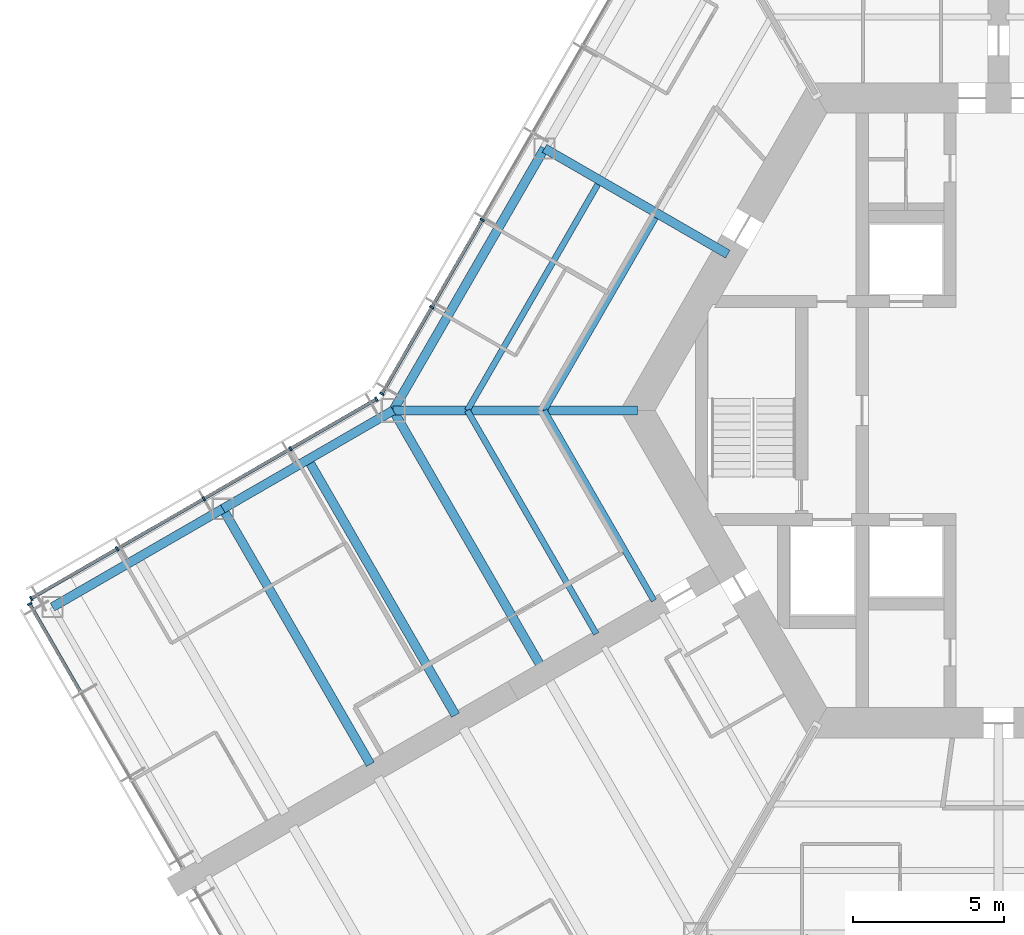
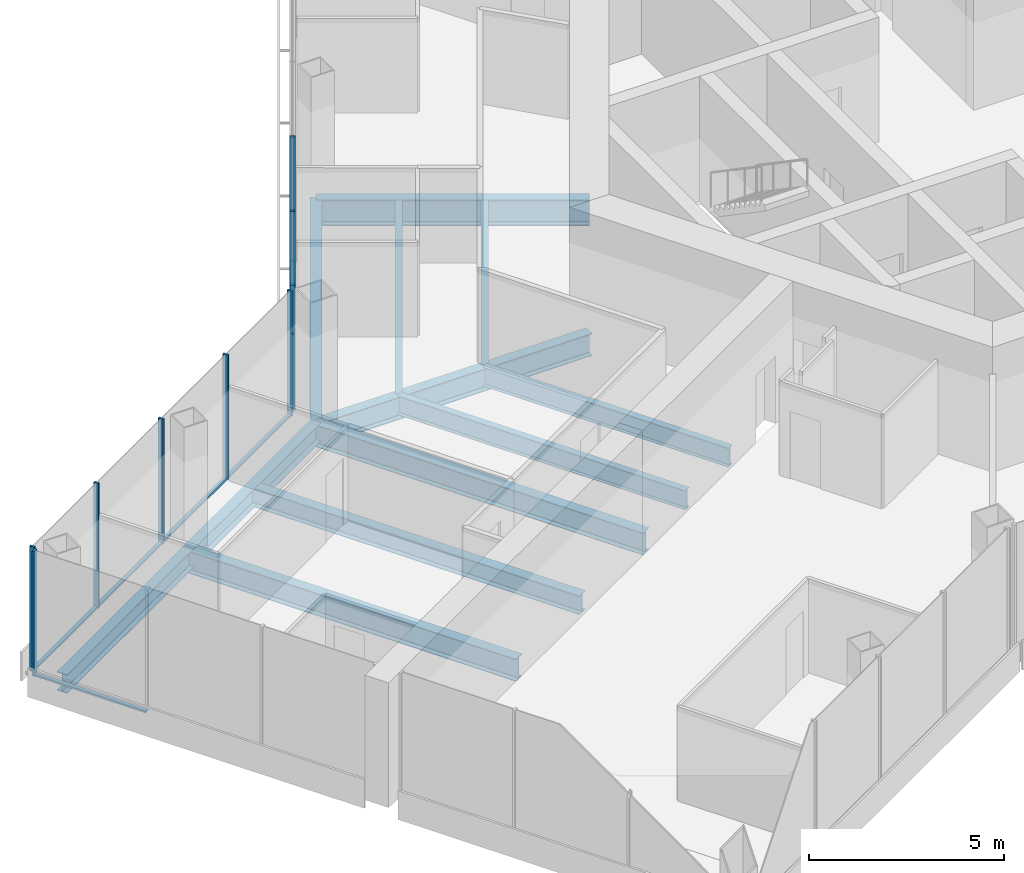
# One storey, part 4 of 18: 16 members, 12 beams, 3 elements without a shape of their own.
"""IFC4 building model written with IfcOpenShell, lengths in metres."""

from ifc_helpers import new_model, si_unit, direction, frame, origin, origin_2d, place, context, subcontext, project, spatial, rectangle, i_section, extrude, material, material_profile, profile_set, type_object, element, aggregate, save


model = new_model("IFC4")

# Units and contexts
model_context = context("Model", 3, precision=1e-05, world=origin(), true_north=direction((0.0, 1.0)))
body_context = subcontext(model_context, "Body", "Model", "MODEL_VIEW")
ifc_project = project(units=[si_unit("LENGTHUNIT", "METRE"), si_unit("AREAUNIT", "SQUARE_METRE"), si_unit("VOLUMEUNIT", "CUBIC_METRE"), si_unit("PLANEANGLEUNIT", "RADIAN"), si_unit("MASSUNIT", "GRAM", prefix="KILO")], contexts=[model_context])

# Site, building, storey
site_placement = place(None, origin())
site = spatial("IfcSite", under=ifc_project, at=site_placement, CompositionType="ELEMENT")
building_placement = place(site_placement, origin())
building = spatial("IfcBuilding", under=site, at=building_placement, Name="Kasaneha Research Tower", CompositionType="ELEMENT")
storey_placement = place(building_placement, frame((0.0, 0.0, 140.89990234375)))
storey = spatial("IfcBuildingStorey", under=building, at=storey_placement, Name="L35", CompositionType="ELEMENT", Elevation=140.89990234375)

# Beams
ifc_material_1 = material(Name="Steel SN490B", Category="steel")
ifc_material_profile_1 = material_profile(ifc_material_1, i_section(OverallWidth=0.199951171875, OverallDepth=0.60009765625, WebThickness=0.010986328125, FlangeThickness=0.01708984375, FilletRadius=0.012939453125, at=origin_2d()), Name="H-600x200x11x17")
ifc_profile_set_1 = profile_set([ifc_material_profile_1], Name="Steel SN490B")
beam_type_1 = type_object("IfcBeamType", Name="B1-3 secondary beam H-600x200x11x17", PredefinedType="JOIST", material=ifc_profile_set_1)
beam_1_placement = place(storey_placement, frame((-15.010986328125, 0.0, -0.449951171875), z_axis=(0.499994443168, 0.866028611999, 0.0), x_axis=(-0.866028611999, 0.499994443168, 0.0)))
element("IfcBeam", 1, at=beam_1_placement, inside=storey, type_object=beam_type_1, Name="Secondary beam RS150R1 L35", PredefinedType="JOIST", context=body_context, shape_type="SweptSolid", body=[
    extrude(i_section(OverallWidth=0.199951171875, OverallDepth=0.60009765625, WebThickness=0.010986328125, FlangeThickness=0.01708984375, FilletRadius=0.012939453125, at=origin_2d()), origin(), (0.0, 0.0, 1.0), 7.35546875),
])
beam_2_placement = place(storey_placement, frame((-17.551513671875, 0.0, -0.449951171875), z_axis=(0.5000050195, 0.866022505755, 0.0), x_axis=(-0.866022505755, 0.5000050195, 0.0)))
element("IfcBeam", 2, at=beam_2_placement, inside=storey, type_object=beam_type_1, Name="Secondary beam RS150R2 L35", PredefinedType="JOIST", context=body_context, shape_type="SweptSolid", body=[
    extrude(i_section(OverallWidth=0.199951171875, OverallDepth=0.60009765625, WebThickness=0.010986328125, FlangeThickness=0.01708984375, FilletRadius=0.012939453125, at=origin_2d()), origin(), (0.0, 0.0, 1.0), 8.6259765625),
])
beam_3_placement = place(storey_placement, frame((-15.010986328125, 0.0, -0.449951171875), z_axis=(0.499993340521, -0.866029248602, 0.0), x_axis=(0.866029248602, 0.499993340521, 0.0)))
element("IfcBeam", 3, at=beam_3_placement, inside=storey, type_object=beam_type_1, Name="Secondary beam RS210L1 L35", PredefinedType="JOIST", context=body_context, shape_type="SweptSolid", body=[
    extrude(i_section(OverallWidth=0.199951171875, OverallDepth=0.60009765625, WebThickness=0.010986328125, FlangeThickness=0.01708984375, FilletRadius=0.012939453125, at=origin_2d()), origin(), (0.0, 0.0, 1.0), 7.25537109375),
])
beam_4_placement = place(storey_placement, frame((-17.551513671875, 0.0, -0.449951171875), z_axis=(0.500004205306, -0.866022975836, 0.0), x_axis=(0.866022975836, 0.500004205306, 0.0)))
element("IfcBeam", 4, at=beam_4_placement, inside=storey, type_object=beam_type_1, Name="Secondary beam RS210L2 L35", PredefinedType="JOIST", context=body_context, shape_type="SweptSolid", body=[
    extrude(i_section(OverallWidth=0.199951171875, OverallDepth=0.60009765625, WebThickness=0.010986328125, FlangeThickness=0.01708984375, FilletRadius=0.012939453125, at=origin_2d()), origin(), (0.0, 0.0, 1.0), 8.52587890625),
])
ifc_material_2 = material(Name="Steel SN490B", Category="steel")
ifc_material_profile_2 = material_profile(ifc_material_2, i_section(OverallWidth=0.300048828125, OverallDepth=0.58203125, WebThickness=0.011962890625, FlangeThickness=0.01708984375, FilletRadius=0.012939453125, at=origin_2d()), Name="H-582x300x12x17")
ifc_profile_set_2 = profile_set([ifc_material_profile_2], Name="Steel SN490B")
beam_type_2 = type_object("IfcBeamType", Name="B2-3 secondary beam H-582x300x12x17", PredefinedType="JOIST", material=ifc_profile_set_2)
beam_5_placement = place(storey_placement, frame((-22.814697265625, -1.625, -0.44091796875), z_axis=(0.499995560238, -0.866027967067, 0.0), x_axis=(0.866027967067, 0.499995560238, 0.0)))
element("IfcBeam", 5, at=beam_5_placement, inside=storey, type_object=beam_type_2, Name="Secondary beam WBBP1 L35", PredefinedType="JOIST", context=body_context, shape_type="SweptSolid", body=[
    extrude(i_section(OverallWidth=0.300048828125, OverallDepth=0.58203125, WebThickness=0.011962890625, FlangeThickness=0.01708984375, FilletRadius=0.012939453125, at=origin_2d()), origin(), (0.0, 0.0, 1.0), 9.75),
])

# Curtain wall, members
ifc_material_3 = material(Name="Glass and aluminium", Category="aluminium")
curtain_wall_type = type_object("IfcCurtainWallType", Name="Mid-rise office curtain wall", PredefinedType="USERDEFINED", material=ifc_material_3)
curtain_wall_1_placement = place(storey_placement, origin())
curtain_wall_1 = element("IfcCurtainWall", 6, at=curtain_wall_1_placement, inside=storey, type_object=curtain_wall_type, Name="CW-O2 L35 run 08a", ObjectType="UNITISED CURTAIN WALL", PredefinedType="USERDEFINED")
ifc_material_4 = material(Name="Aluminium 6063-T6", Category="aluminium")
ifc_material_profile_3 = material_profile(ifc_material_4, rectangle(XDim=0.06005859375, YDim=0.14990234375, at=origin_2d()), Name="CW-O2 mullion 60x150")
ifc_profile_set_3 = profile_set([ifc_material_profile_3], Name="Aluminium 6063-T6")
member_type_1 = type_object("IfcMemberType", Name="CW-O2 mullion", PredefinedType="MULLION", material=ifc_profile_set_3)
member_1_placement = place(storey_placement, frame((-17.058349609375, 6.295166015625, 0.0), z_axis=(0.0, 0.0, 1.0), x_axis=(-0.499999979232, -0.866025415775, 0.0)))
member_1 = element("IfcMember", 7, at=member_1_placement, type_object=member_type_1, Name="CW-O2 mullion 5", PredefinedType="MULLION", context=body_context, shape_type="SweptSolid", body=[
    extrude(rectangle(XDim=0.06005859375, YDim=0.14990234375, at=origin_2d()), origin(), (0.0, 0.0, 1.0), 3.900146484375),
])
member_2_placement = place(storey_placement, frame((-18.723876953125, 3.410400390625, 0.0), z_axis=(0.0, 0.0, 1.0), x_axis=(-0.499999979232, -0.866025415775, 0.0)))
member_2 = element("IfcMember", 8, at=member_2_placement, type_object=member_type_1, Name="CW-O2 mullion 6", PredefinedType="MULLION", context=body_context, shape_type="SweptSolid", body=[
    extrude(rectangle(XDim=0.06005859375, YDim=0.14990234375, at=origin_2d()), origin(), (0.0, 0.0, 1.0), 3.900146484375),
])
member_3_placement = place(storey_placement, frame((-20.374267578125, 0.5517578125, 0.0), z_axis=(0.0, 0.0, 1.0), x_axis=(-0.499999979232, -0.866025415775, 0.0)))
member_3 = element("IfcMember", 9, at=member_3_placement, type_object=member_type_1, Name="CW-O2 mullion 7", PredefinedType="MULLION", context=body_context, shape_type="SweptSolid", body=[
    extrude(rectangle(XDim=0.06005859375, YDim=0.14990234375, at=origin_2d()), origin(), (0.0, 0.0, 1.0), 3.900146484375),
])

curtain_wall_2_placement = place(storey_placement, origin())
curtain_wall_2 = element("IfcCurtainWall", 10, at=curtain_wall_2_placement, inside=storey, type_object=curtain_wall_type, Name="CW-O2 L35 run 09a", ObjectType="UNITISED CURTAIN WALL", PredefinedType="USERDEFINED")
member_4_placement = place(storey_placement, frame((-20.5517578125, 0.374267578125, 0.0), z_axis=(0.0, 0.0, 1.0), x_axis=(-0.866025411464, -0.499999986699, 0.0)))
member_4 = element("IfcMember", 11, at=member_4_placement, type_object=member_type_1, Name="CW-O2 mullion 1", PredefinedType="MULLION", context=body_context, shape_type="SweptSolid", body=[
    extrude(rectangle(XDim=0.06005859375, YDim=0.14990234375, at=origin_2d()), origin(), (0.0, 0.0, 1.0), 3.900146484375),
])
member_5_placement = place(storey_placement, frame((-23.39208984375, -1.265625, 0.0), z_axis=(0.0, 0.0, 1.0), x_axis=(-0.866025411464, -0.499999986699, 0.0)))
member_5 = element("IfcMember", 12, at=member_5_placement, type_object=member_type_1, Name="CW-O2 mullion 2", PredefinedType="MULLION", context=body_context, shape_type="SweptSolid", body=[
    extrude(rectangle(XDim=0.06005859375, YDim=0.14990234375, at=origin_2d()), origin(), (0.0, 0.0, 1.0), 3.900146484375),
])
member_6_placement = place(storey_placement, frame((-26.258544921875, -2.920654296875, 0.0), z_axis=(0.0, 0.0, 1.0), x_axis=(-0.866025411464, -0.499999986699, 0.0)))
member_6 = element("IfcMember", 13, at=member_6_placement, type_object=member_type_1, Name="CW-O2 mullion 3", PredefinedType="MULLION", context=body_context, shape_type="SweptSolid", body=[
    extrude(rectangle(XDim=0.06005859375, YDim=0.14990234375, at=origin_2d()), origin(), (0.0, 0.0, 1.0), 3.900146484375),
])
member_7_placement = place(storey_placement, frame((-29.125, -4.575439453125, 0.0), z_axis=(0.0, 0.0, 1.0), x_axis=(-0.866025411464, -0.499999986699, 0.0)))
member_7 = element("IfcMember", 14, at=member_7_placement, type_object=member_type_1, Name="CW-O2 mullion 4", PredefinedType="MULLION", context=body_context, shape_type="SweptSolid", body=[
    extrude(rectangle(XDim=0.06005859375, YDim=0.14990234375, at=origin_2d()), origin(), (0.0, 0.0, 1.0), 3.900146484375),
])
member_8_placement = place(storey_placement, frame((-31.96533203125, -6.21533203125, 0.0), z_axis=(0.0, 0.0, 1.0), x_axis=(-0.866025411464, -0.499999986699, 0.0)))
member_8 = element("IfcMember", 15, at=member_8_placement, type_object=member_type_1, Name="CW-O2 mullion 5", PredefinedType="MULLION", context=body_context, shape_type="SweptSolid", body=[
    extrude(rectangle(XDim=0.06005859375, YDim=0.14990234375, at=origin_2d()), origin(), (0.0, 0.0, 1.0), 3.900146484375),
])

# Curtain wall, member
curtain_wall_3_placement = place(storey_placement, origin())
curtain_wall_3 = element("IfcCurtainWall", 16, at=curtain_wall_3_placement, inside=storey, type_object=curtain_wall_type, Name="CW-O2 L35 run 10a", ObjectType="UNITISED CURTAIN WALL", PredefinedType="USERDEFINED")
member_9_placement = place(storey_placement, frame((-32.012939453125, -6.39306640625, 0.0), z_axis=(0.0, 0.0, 1.0), x_axis=(0.500000011442, -0.866025397178, 0.0)))
member_9 = element("IfcMember", 17, at=member_9_placement, type_object=member_type_1, Name="CW-O2 mullion 1", PredefinedType="MULLION", context=body_context, shape_type="SweptSolid", body=[
    extrude(rectangle(XDim=0.06005859375, YDim=0.14990234375, at=origin_2d()), origin(), (0.0, 0.0, 1.0), 3.900146484375),
])

# Member
ifc_material_5 = material(Name="Aluminium 6063-T6", Category="aluminium")
ifc_material_profile_4 = material_profile(ifc_material_5, rectangle(XDim=0.110107421875, YDim=0.06005859375, at=origin_2d()), Name="CW-O2 transom 110x60")
ifc_profile_set_4 = profile_set([ifc_material_profile_4], Name="Aluminium 6063-T6")
member_type_2 = type_object("IfcMemberType", Name="CW-O2 transom", PredefinedType="USERDEFINED", material=ifc_profile_set_4)
member_10_placement = place(storey_placement, frame((-17.0732421875, 6.269287109375, 0.030029296875), z_axis=(-0.500000270186, -0.866025247793, 0.0), x_axis=(0.866025247793, -0.500000270186, 0.0)))
member_10 = element("IfcMember", 18, at=member_10_placement, type_object=member_type_2, Name="CW-O2 transom 5", ObjectType="TRANSOM", PredefinedType="USERDEFINED", context=body_context, shape_type="SweptSolid", body=[
    extrude(rectangle(XDim=0.110107421875, YDim=0.06005859375, at=origin_2d()), origin(), (0.0, 0.0, 1.0), 3.27099609375),
])

member_11_placement = place(storey_placement, frame((-18.73876953125, 3.384521484375, 0.030029296875), z_axis=(-0.499987643696, -0.866032537582, 0.0), x_axis=(0.866032537582, -0.499987643696, 0.0)))
member_11 = element("IfcMember", 19, at=member_11_placement, type_object=member_type_2, Name="CW-O2 transom 6", ObjectType="TRANSOM", PredefinedType="USERDEFINED", context=body_context, shape_type="SweptSolid", body=[
    extrude(rectangle(XDim=0.110107421875, YDim=0.06005859375, at=origin_2d()), origin(), (0.0, 0.0, 1.0), 3.24072265625),
])

aggregate(curtain_wall_1, [member_1, member_2, member_3, member_10, member_11])

member_12_placement = place(storey_placement, frame((-20.577880859375, 0.359130859375, 0.030029296875), z_axis=(-0.866022692473, -0.500004696101, 0.0), x_axis=(0.500004696101, -0.866022692473, 0.0)))
member_12 = element("IfcMember", 20, at=member_12_placement, type_object=member_type_2, Name="CW-O2 transom 1", ObjectType="TRANSOM", PredefinedType="USERDEFINED", context=body_context, shape_type="SweptSolid", body=[
    extrude(rectangle(XDim=0.110107421875, YDim=0.06005859375, at=origin_2d()), origin(), (0.0, 0.0, 1.0), 3.2197265625),
])

member_13_placement = place(storey_placement, frame((-23.418212890625, -1.28076171875, 0.030029296875), z_axis=(-0.86604797581, -0.499960902066, 0.0), x_axis=(0.499960902066, -0.86604797581, 0.0)))
member_13 = element("IfcMember", 21, at=member_13_placement, type_object=member_type_2, Name="CW-O2 transom 2", ObjectType="TRANSOM", PredefinedType="USERDEFINED", context=body_context, shape_type="SweptSolid", body=[
    extrude(rectangle(XDim=0.110107421875, YDim=0.06005859375, at=origin_2d()), origin(), (0.0, 0.0, 1.0), 3.249755859375),
])

member_14_placement = place(storey_placement, frame((-26.28466796875, -2.935546875, 0.030029296875), z_axis=(-0.86599666273, -0.500049777664, 0.0), x_axis=(0.500049777664, -0.86599666273, 0.0)))
member_14 = element("IfcMember", 22, at=member_14_placement, type_object=member_type_2, Name="CW-O2 transom 3", ObjectType="TRANSOM", PredefinedType="USERDEFINED", context=body_context, shape_type="SweptSolid", body=[
    extrude(rectangle(XDim=0.110107421875, YDim=0.06005859375, at=origin_2d()), origin(), (0.0, 0.0, 1.0), 3.249755859375),
])

member_15_placement = place(storey_placement, frame((-29.15087890625, -4.590576171875, 0.030029296875), z_axis=(-0.866041647767, -0.499971863542, 0.0), x_axis=(0.499971863542, -0.866041647767, 0.0)))
member_15 = element("IfcMember", 23, at=member_15_placement, type_object=member_type_2, Name="CW-O2 transom 4", ObjectType="TRANSOM", PredefinedType="USERDEFINED", context=body_context, shape_type="SweptSolid", body=[
    extrude(rectangle(XDim=0.110107421875, YDim=0.06005859375, at=origin_2d()), origin(), (0.0, 0.0, 1.0), 3.219970703125),
])

aggregate(curtain_wall_2, [member_4, member_5, member_6, member_7, member_8, member_12, member_13, member_14, member_15])

member_16_placement = place(storey_placement, frame((-31.998046875, -6.4189453125, 0.030029296875), z_axis=(0.500021914551, -0.866012751043, 0.0), x_axis=(0.866012751043, 0.500021914551, 0.0)))
member_16 = element("IfcMember", 24, at=member_16_placement, type_object=member_type_2, Name="CW-O2 transom 1", ObjectType="TRANSOM", PredefinedType="USERDEFINED", context=body_context, shape_type="SweptSolid", body=[
    extrude(rectangle(XDim=0.110107421875, YDim=0.06005859375, at=origin_2d()), origin(), (0.0, 0.0, 1.0), 3.293212890625),
])

aggregate(curtain_wall_3, [member_9, member_16])

# Beams
ifc_material_6 = material(Name="Steel SN490B", Category="steel")
ifc_material_profile_5 = material_profile(ifc_material_6, i_section(OverallWidth=0.300048828125, OverallDepth=0.699951171875, WebThickness=0.012939453125, FlangeThickness=0.02392578125, FilletRadius=0.01806640625, at=origin_2d()), Name="H-700x300x13x24")
ifc_profile_set_5 = profile_set([ifc_material_profile_5], Name="Steel SN490B")
beam_type_3 = type_object("IfcBeamType", Name="G1-3 radial girder H-700x300x13x24", PredefinedType="BEAM", material=ifc_profile_set_5)
beam_6_placement = place(storey_placement, frame((-11.92236328125, 0.0, -0.5), z_axis=(-1.0, 0.0, 0.0), x_axis=(0.0, -1.0, 0.0)))
element("IfcBeam", 25, at=beam_6_placement, inside=storey, type_object=beam_type_3, Name="Radial girder RV180 L35", PredefinedType="BEAM", context=body_context, shape_type="SweptSolid", body=[
    extrude(i_section(OverallWidth=0.300048828125, OverallDepth=0.699951171875, WebThickness=0.012939453125, FlangeThickness=0.02392578125, FilletRadius=0.01806640625, at=origin_2d()), origin(), (0.0, 0.0, 1.0), 8.07763671875),
])
ifc_material_7 = material(Name="Steel SN490B", Category="steel")
ifc_material_profile_6 = material_profile(ifc_material_7, i_section(OverallWidth=0.300048828125, OverallDepth=0.800048828125, WebThickness=0.013916015625, FlangeThickness=0.02587890625, FilletRadius=0.01806640625, at=origin_2d()), Name="H-800x300x14x26")
ifc_profile_set_6 = profile_set([ifc_material_profile_6], Name="Steel SN490B")
beam_type_4 = type_object("IfcBeamType", Name="G2-3 radial girder H-800x300x14x26", PredefinedType="BEAM", material=ifc_profile_set_6)
beam_7_placement = place(storey_placement, frame((-8.941650390625, 5.16259765625, -0.5498046875), z_axis=(-0.866039713508, 0.499975214012, 0.0), x_axis=(-0.499975214012, -0.866039713508, 0.0)))
element("IfcBeam", 26, at=beam_7_placement, inside=storey, type_object=beam_type_4, Name="Radial girder RM150 L35", PredefinedType="BEAM", context=body_context, shape_type="SweptSolid", body=[
    extrude(i_section(OverallWidth=0.300048828125, OverallDepth=0.800048828125, WebThickness=0.013916015625, FlangeThickness=0.02587890625, FilletRadius=0.01806640625, at=origin_2d()), origin(), (0.0, 0.0, 1.0), 6.995361328125),
])
ifc_material_8 = material(Name="Steel SN490B", Category="steel")
ifc_material_profile_7 = material_profile(ifc_material_8, i_section(OverallWidth=0.300048828125, OverallDepth=0.69189453125, WebThickness=0.012939453125, FlangeThickness=0.02001953125, FilletRadius=0.01806640625, at=origin_2d()), Name="H-692x300x13x20")
ifc_profile_set_7 = profile_set([ifc_material_profile_7], Name="Steel SN490B")
beam_type_5 = type_object("IfcBeamType", Name="G3-3 plate edge girder H-692x300x13x20", PredefinedType="BEAM", material=ifc_profile_set_7)
beam_8_placement = place(storey_placement, frame((-20.0, 0.0, -0.495849609375), z_axis=(0.499995560238, -0.866027967067, 0.0), x_axis=(0.866027967067, 0.499995560238, 0.0)))
element("IfcBeam", 27, at=beam_8_placement, inside=storey, type_object=beam_type_5, Name="Plate edge girder PEBP L35", PredefinedType="BEAM", context=body_context, shape_type="SweptSolid", body=[
    extrude(i_section(OverallWidth=0.300048828125, OverallDepth=0.69189453125, WebThickness=0.012939453125, FlangeThickness=0.02001953125, FilletRadius=0.01806640625, at=origin_2d()), origin(), (0.0, 0.0, 1.0), 9.75),
])
ifc_material_9 = material(Name="Steel SN490B", Category="steel")
ifc_material_profile_8 = material_profile(ifc_material_9, i_section(OverallWidth=0.300048828125, OverallDepth=0.699951171875, WebThickness=0.012939453125, FlangeThickness=0.02392578125, FilletRadius=0.01806640625, at=origin_2d()), Name="H-700x300x13x24")
ifc_profile_set_8 = profile_set([ifc_material_profile_8], Name="Steel SN490B")
beam_type_6 = type_object("IfcBeamType", Name="G4-3 wing girder H-700x300x13x24", PredefinedType="BEAM", material=ifc_profile_set_8)
beam_9_placement = place(storey_placement, frame((-25.629150390625, -3.25, -0.5), z_axis=(0.499995560238, -0.866027967067, 0.0), x_axis=(0.866027967067, 0.499995560238, 0.0)))
element("IfcBeam", 28, at=beam_9_placement, inside=storey, type_object=beam_type_6, Name="Wing girder WGBP L35", PredefinedType="BEAM", context=body_context, shape_type="SweptSolid", body=[
    extrude(i_section(OverallWidth=0.300048828125, OverallDepth=0.699951171875, WebThickness=0.012939453125, FlangeThickness=0.02392578125, FilletRadius=0.01806640625, at=origin_2d()), origin(), (0.0, 0.0, 1.0), 9.75),
])
ifc_material_10 = material(Name="Steel SN490B", Category="steel")
ifc_material_profile_9 = material_profile(ifc_material_10, i_section(OverallWidth=0.300048828125, OverallDepth=0.69189453125, WebThickness=0.012939453125, FlangeThickness=0.02001953125, FilletRadius=0.01806640625, at=origin_2d()), Name="H-692x300x13x20")
ifc_profile_set_9 = profile_set([ifc_material_profile_9], Name="Steel SN490B")
beam_type_7 = type_object("IfcBeamType", Name="SB1-3 spandrel beam H-692x300x13x20", PredefinedType="SPANDREL", material=ifc_profile_set_9)
beam_10_placement = place(storey_placement, frame((-20.0, 0.0, -0.495849609375), z_axis=(0.500004234368, 0.866022959057, 0.0), x_axis=(-0.866022959057, 0.500004234368, 0.0)))
element("IfcBeam", 29, at=beam_10_placement, inside=storey, type_object=beam_type_7, Name="Spandrel beam SR150R L35", PredefinedType="SPANDREL", context=body_context, shape_type="SweptSolid", body=[
    extrude(i_section(OverallWidth=0.300048828125, OverallDepth=0.69189453125, WebThickness=0.012939453125, FlangeThickness=0.02001953125, FilletRadius=0.01806640625, at=origin_2d()), origin(), (0.0, 0.0, 1.0), 10.0),
])
ifc_material_11 = material(Name="Steel SN490B", Category="steel")
ifc_material_profile_10 = material_profile(ifc_material_11, i_section(OverallWidth=0.300048828125, OverallDepth=0.58203125, WebThickness=0.011962890625, FlangeThickness=0.01708984375, FilletRadius=0.012939453125, at=origin_2d()), Name="H-582x300x12x17")
ifc_profile_set_10 = profile_set([ifc_material_profile_10], Name="Steel SN490B")
beam_type_8 = type_object("IfcBeamType", Name="SB2-3 spandrel beam H-582x300x12x17", PredefinedType="SPANDREL", material=ifc_profile_set_10)
for number, where, z_axis, x_axis, name in (
    (30, (-20.0, 0.0, -0.44091796875), (-0.866024837091, -0.50000098154, 0.0), (0.50000098154, -0.866024837091, 0.0), "Spandrel beam WSBP1 L35"),
    (31, (-25.629150390625, -3.25, -0.44091796875), (-0.866024837091, -0.50000098154, 0.0), (0.50000098154, -0.866024837091, 0.0), "Spandrel beam WSBP2 L35"),
):
    element("IfcBeam", number, at=place(storey_placement, frame(where, z_axis=z_axis, x_axis=x_axis)), inside=storey, type_object=beam_type_8, Name=name, PredefinedType="SPANDREL", context=body_context, shape_type="SweptSolid", body=[
        extrude(i_section(OverallWidth=0.300048828125, OverallDepth=0.58203125, WebThickness=0.011962890625, FlangeThickness=0.01708984375, FilletRadius=0.012939453125, at=origin_2d()), origin(), (0.0, 0.0, 1.0), 6.5),
    ])

save(model, "model.ifc")
